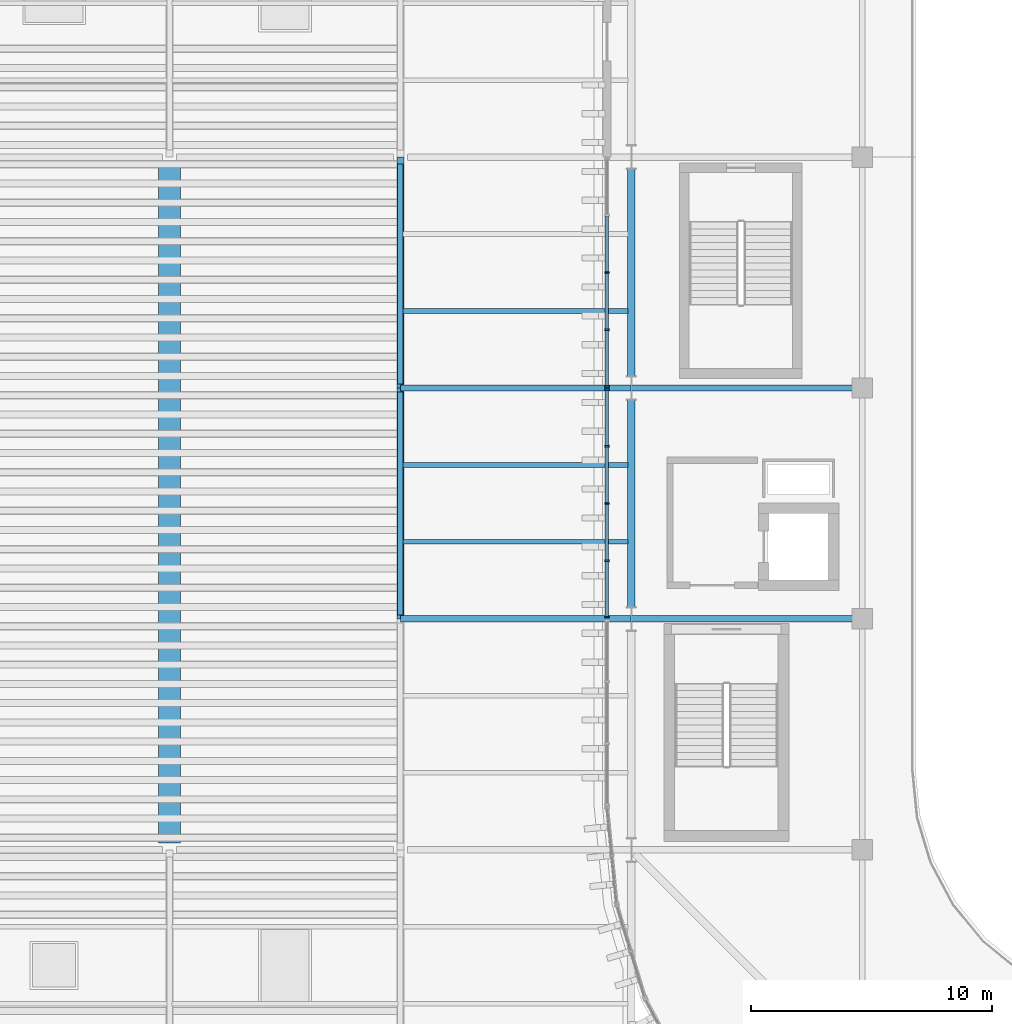
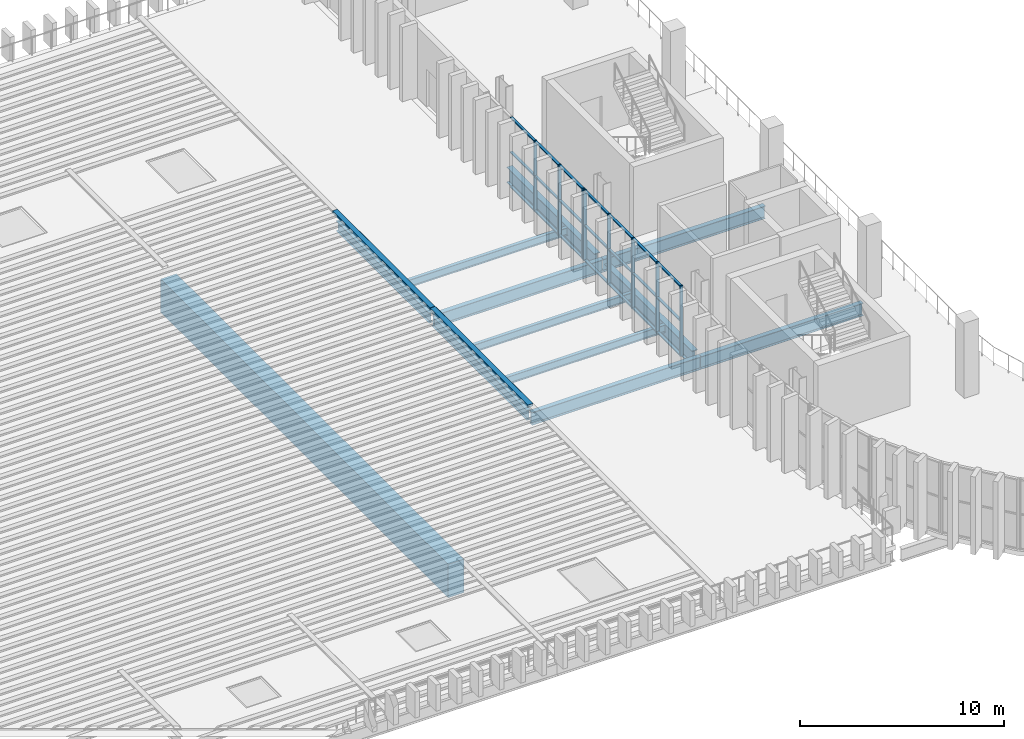
# One storey, part 10 of 92: 31 members, 12 beams, 2 elements without a shape of their own.
"""IFC4 building model written with IfcOpenShell, lengths in metres."""

from ifc_helpers import new_model, si_unit, direction, frame, origin, origin_2d, place, context, subcontext, project, spatial, rectangle, hollow_rectangle, i_section, extrude, material, layer, layer_set, material_profile, profile_set, type_object, element, aggregate, save


model = new_model("IFC4")

# Units and contexts
model_context = context("Model", 3, precision=1e-05, world=origin(), true_north=direction((0.0, 1.0)))
body_context = subcontext(model_context, "Body", "Model", "MODEL_VIEW")
ifc_project = project(units=[si_unit("LENGTHUNIT", "METRE"), si_unit("AREAUNIT", "SQUARE_METRE"), si_unit("VOLUMEUNIT", "CUBIC_METRE"), si_unit("PLANEANGLEUNIT", "RADIAN"), si_unit("MASSUNIT", "GRAM", prefix="KILO")], contexts=[model_context])

# Site, building, storey
site_placement = place(None, origin())
site = spatial("IfcSite", under=ifc_project, at=site_placement, CompositionType="ELEMENT")
building_placement = place(site_placement, origin())
building = spatial("IfcBuilding", under=site, at=building_placement, Name="Caelomonte Colonnade Arena", CompositionType="ELEMENT")
storey_placement = place(building_placement, frame((0.0, 0.0, 9.60009765625)))
storey = spatial("IfcBuildingStorey", under=building, at=storey_placement, Name="L02", CompositionType="ELEMENT", Elevation=9.60009765625)

# Curtain wall, members
ifc_material_1 = material(Name="Bronze anodised aluminium and low-E glazing", Category="aluminium")
ifc_layer = layer(ifc_material_1, 0.179931640625)
ifc_layer_set = layer_set([ifc_layer], Name="Bronze anodised aluminium and low-E glazing")
curtain_wall_type = type_object("IfcCurtainWallType", Name="ENV-CW-CW-L02-96-42", PredefinedType="USERDEFINED", material=ifc_layer_set)
curtain_wall_1_placement = place(storey_placement, origin())
curtain_wall_1 = element("IfcCurtainWall", 1, at=curtain_wall_1_placement, inside=storey, type_object=curtain_wall_type, Name="L02 unitized curtain wall CW-L02-0566-0624", ObjectType="UNITIZED CURTAIN WALL", PredefinedType="USERDEFINED")
ifc_material_2 = material(Name="Bronze anodised aluminium AA6063-T6", Category="aluminium")
ifc_material_profile_1 = material_profile(ifc_material_2, rectangle(XDim=0.070068359375, YDim=0.179931640625, at=origin_2d()), Name="CWM-70X180")
ifc_profile_set_1 = profile_set([ifc_material_profile_1], Name="Bronze anodised aluminium AA6063-T6")
member_type_1 = type_object("IfcMemberType", Name="ENV-CW-MULL1", PredefinedType="MULLION", material=ifc_profile_set_1)
member_1_placement = place(storey_placement, frame((56.580078125, 62.39990234375, 0.0), z_axis=(0.0, 0.0, 1.0), x_axis=(0.0, -1.0, 0.0)))
member_1 = element("IfcMember", 2, at=member_1_placement, type_object=member_type_1, Name="CW-L02-96-42 mullion 3", PredefinedType="MULLION", context=body_context, shape_type="SweptSolid", body=[
    extrude(rectangle(XDim=0.070068359375, YDim=0.179931640625, at=origin_2d()), origin(), (0.0, 0.0, 1.0), 4.219970703125),
])
member_2_placement = place(storey_placement, frame((56.580078125, 60.02001953125, 0.0), z_axis=(0.0, 0.0, 1.0), x_axis=(0.0, -1.0, 0.0)))
member_2 = element("IfcMember", 3, at=member_2_placement, type_object=member_type_1, Name="CW-L02-96-42 mullion 4", PredefinedType="MULLION", context=body_context, shape_type="SweptSolid", body=[
    extrude(rectangle(XDim=0.070068359375, YDim=0.179931640625, at=origin_2d()), origin(), (0.0, 0.0, 1.0), 4.219970703125),
])
member_3_placement = place(storey_placement, frame((56.580078125, 57.675048828125, 0.0), z_axis=(0.0, 0.0, 1.0), x_axis=(0.0, -1.0, 0.0)))
member_3 = element("IfcMember", 4, at=member_3_placement, type_object=member_type_1, Name="CW-L02-96-42 mullion 5", PredefinedType="MULLION", context=body_context, shape_type="SweptSolid", body=[
    extrude(rectangle(XDim=0.070068359375, YDim=0.179931640625, at=origin_2d()), origin(), (0.0, 0.0, 1.0), 4.219970703125),
])

curtain_wall_2_placement = place(storey_placement, origin())
curtain_wall_2 = element("IfcCurtainWall", 5, at=curtain_wall_2_placement, inside=storey, type_object=curtain_wall_type, Name="L02 unitized curtain wall CW-L02-0566-0528", ObjectType="UNITIZED CURTAIN WALL", PredefinedType="USERDEFINED")
member_4_placement = place(storey_placement, frame((56.580078125, 57.52490234375, 0.0), z_axis=(0.0, 0.0, 1.0), x_axis=(0.0, -1.0, 0.0)))
member_4 = element("IfcMember", 6, at=member_4_placement, type_object=member_type_1, Name="CW-L02-96-42 mullion 1", PredefinedType="MULLION", context=body_context, shape_type="SweptSolid", body=[
    extrude(rectangle(XDim=0.070068359375, YDim=0.179931640625, at=origin_2d()), origin(), (0.0, 0.0, 1.0), 4.219970703125),
])
member_5_placement = place(storey_placement, frame((56.580078125, 55.179931640625, 0.0), z_axis=(0.0, 0.0, 1.0), x_axis=(0.0, -1.0, 0.0)))
member_5 = element("IfcMember", 7, at=member_5_placement, type_object=member_type_1, Name="CW-L02-96-42 mullion 2", PredefinedType="MULLION", context=body_context, shape_type="SweptSolid", body=[
    extrude(rectangle(XDim=0.070068359375, YDim=0.179931640625, at=origin_2d()), origin(), (0.0, 0.0, 1.0), 4.219970703125),
])
member_6_placement = place(storey_placement, frame((56.580078125, 52.800048828125, 0.0), z_axis=(0.0, 0.0, 1.0), x_axis=(0.0, -1.0, 0.0)))
member_6 = element("IfcMember", 8, at=member_6_placement, type_object=member_type_1, Name="CW-L02-96-42 mullion 3", PredefinedType="MULLION", context=body_context, shape_type="SweptSolid", body=[
    extrude(rectangle(XDim=0.070068359375, YDim=0.179931640625, at=origin_2d()), origin(), (0.0, 0.0, 1.0), 4.219970703125),
])
member_7_placement = place(storey_placement, frame((56.580078125, 50.419921875, 0.0), z_axis=(0.0, 0.0, 1.0), x_axis=(0.0, -1.0, 0.0)))
member_7 = element("IfcMember", 9, at=member_7_placement, type_object=member_type_1, Name="CW-L02-96-42 mullion 4", PredefinedType="MULLION", context=body_context, shape_type="SweptSolid", body=[
    extrude(rectangle(XDim=0.070068359375, YDim=0.179931640625, at=origin_2d()), origin(), (0.0, 0.0, 1.0), 4.219970703125),
])
member_8_placement = place(storey_placement, frame((56.580078125, 48.074951171875, 0.0), z_axis=(0.0, 0.0, 1.0), x_axis=(0.0, -1.0, 0.0)))
member_8 = element("IfcMember", 10, at=member_8_placement, type_object=member_type_1, Name="CW-L02-96-42 mullion 5", PredefinedType="MULLION", context=body_context, shape_type="SweptSolid", body=[
    extrude(rectangle(XDim=0.070068359375, YDim=0.179931640625, at=origin_2d()), origin(), (0.0, 0.0, 1.0), 4.219970703125),
])

# Member
ifc_material_profile_2 = material_profile(ifc_material_2, rectangle(XDim=0.070068359375, YDim=0.139892578125, at=origin_2d()), Name="CWT-70X140")
ifc_profile_set_2 = profile_set([ifc_material_profile_2], Name="Bronze anodised aluminium AA6063-T6")
member_type_2 = type_object("IfcMemberType", Name="ENV-CW-TRAN1", PredefinedType="USERDEFINED", material=ifc_profile_set_2)
member_9_placement = place(storey_placement, frame((56.580078125, 64.7451171875, 0.034912109375), z_axis=(0.0, -1.0, 0.0), x_axis=(0.0, 0.0, 1.0)))
member_9 = element("IfcMember", 11, at=member_9_placement, type_object=member_type_2, Name="CW-L02-96-42 transom 2.1", ObjectType="TRANSOM", PredefinedType="USERDEFINED", context=body_context, shape_type="SweptSolid", body=[
    extrude(rectangle(XDim=0.070068359375, YDim=0.139892578125, at=origin_2d()), origin(), (0.0, 0.0, 1.0), 2.31005859375),
])

member_10_placement = place(storey_placement, frame((56.580078125, 64.7451171875, 2.10986328125), z_axis=(0.0, -1.0, 0.0), x_axis=(0.0, 0.0, 1.0)))
member_10 = element("IfcMember", 12, at=member_10_placement, type_object=member_type_2, Name="CW-L02-96-42 transom 2.2", ObjectType="TRANSOM", PredefinedType="USERDEFINED", context=body_context, shape_type="SweptSolid", body=[
    extrude(rectangle(XDim=0.070068359375, YDim=0.139892578125, at=origin_2d()), origin(), (0.0, 0.0, 1.0), 2.31005859375),
])

member_11_placement = place(storey_placement, frame((56.580078125, 64.7451171875, 4.184814453125), z_axis=(0.0, -1.0, 0.0), x_axis=(0.0, 0.0, 1.0)))
member_11 = element("IfcMember", 13, at=member_11_placement, type_object=member_type_2, Name="CW-L02-96-42 transom 2.3", ObjectType="TRANSOM", PredefinedType="USERDEFINED", context=body_context, shape_type="SweptSolid", body=[
    extrude(rectangle(XDim=0.070068359375, YDim=0.139892578125, at=origin_2d()), origin(), (0.0, 0.0, 1.0), 2.31005859375),
])

member_12_placement = place(storey_placement, frame((56.580078125, 62.364990234375, 0.034912109375), z_axis=(0.0, -1.0, 0.0), x_axis=(0.0, 0.0, 1.0)))
member_12 = element("IfcMember", 14, at=member_12_placement, type_object=member_type_2, Name="CW-L02-96-42 transom 3.1", ObjectType="TRANSOM", PredefinedType="USERDEFINED", context=body_context, shape_type="SweptSolid", body=[
    extrude(rectangle(XDim=0.070068359375, YDim=0.139892578125, at=origin_2d()), origin(), (0.0, 0.0, 1.0), 2.31005859375),
])

member_13_placement = place(storey_placement, frame((56.580078125, 62.364990234375, 2.10986328125), z_axis=(0.0, -1.0, 0.0), x_axis=(0.0, 0.0, 1.0)))
member_13 = element("IfcMember", 15, at=member_13_placement, type_object=member_type_2, Name="CW-L02-96-42 transom 3.2", ObjectType="TRANSOM", PredefinedType="USERDEFINED", context=body_context, shape_type="SweptSolid", body=[
    extrude(rectangle(XDim=0.070068359375, YDim=0.139892578125, at=origin_2d()), origin(), (0.0, 0.0, 1.0), 2.31005859375),
])

member_14_placement = place(storey_placement, frame((56.580078125, 62.364990234375, 4.184814453125), z_axis=(0.0, -1.0, 0.0), x_axis=(0.0, 0.0, 1.0)))
member_14 = element("IfcMember", 16, at=member_14_placement, type_object=member_type_2, Name="CW-L02-96-42 transom 3.3", ObjectType="TRANSOM", PredefinedType="USERDEFINED", context=body_context, shape_type="SweptSolid", body=[
    extrude(rectangle(XDim=0.070068359375, YDim=0.139892578125, at=origin_2d()), origin(), (0.0, 0.0, 1.0), 2.31005859375),
])

member_15_placement = place(storey_placement, frame((56.580078125, 59.985107421875, 0.034912109375), z_axis=(0.0, -1.0, 0.0), x_axis=(0.0, 0.0, 1.0)))
member_15 = element("IfcMember", 17, at=member_15_placement, type_object=member_type_2, Name="CW-L02-96-42 transom 4.1", ObjectType="TRANSOM", PredefinedType="USERDEFINED", context=body_context, shape_type="SweptSolid", body=[
    extrude(rectangle(XDim=0.070068359375, YDim=0.139892578125, at=origin_2d()), origin(), (0.0, 0.0, 1.0), 2.275146484375),
])

member_16_placement = place(storey_placement, frame((56.580078125, 59.985107421875, 2.10986328125), z_axis=(0.0, -1.0, 0.0), x_axis=(0.0, 0.0, 1.0)))
member_16 = element("IfcMember", 18, at=member_16_placement, type_object=member_type_2, Name="CW-L02-96-42 transom 4.2", ObjectType="TRANSOM", PredefinedType="USERDEFINED", context=body_context, shape_type="SweptSolid", body=[
    extrude(rectangle(XDim=0.070068359375, YDim=0.139892578125, at=origin_2d()), origin(), (0.0, 0.0, 1.0), 2.275146484375),
])

member_17_placement = place(storey_placement, frame((56.580078125, 59.985107421875, 4.184814453125), z_axis=(0.0, -1.0, 0.0), x_axis=(0.0, 0.0, 1.0)))
member_17 = element("IfcMember", 19, at=member_17_placement, type_object=member_type_2, Name="CW-L02-96-42 transom 4.3", ObjectType="TRANSOM", PredefinedType="USERDEFINED", context=body_context, shape_type="SweptSolid", body=[
    extrude(rectangle(XDim=0.070068359375, YDim=0.139892578125, at=origin_2d()), origin(), (0.0, 0.0, 1.0), 2.275146484375),
])

aggregate(curtain_wall_1, [member_1, member_2, member_3, member_9, member_10, member_11, member_12, member_13, member_14, member_15, member_16, member_17])

member_18_placement = place(storey_placement, frame((56.580078125, 57.489990234375, 0.034912109375), z_axis=(0.0, -1.0, 0.0), x_axis=(0.0, 0.0, 1.0)))
member_18 = element("IfcMember", 20, at=member_18_placement, type_object=member_type_2, Name="CW-L02-96-42 transom 1.1", ObjectType="TRANSOM", PredefinedType="USERDEFINED", context=body_context, shape_type="SweptSolid", body=[
    extrude(rectangle(XDim=0.070068359375, YDim=0.139892578125, at=origin_2d()), origin(), (0.0, 0.0, 1.0), 2.27490234375),
])

member_19_placement = place(storey_placement, frame((56.580078125, 57.489990234375, 2.10986328125), z_axis=(0.0, -1.0, 0.0), x_axis=(0.0, 0.0, 1.0)))
member_19 = element("IfcMember", 21, at=member_19_placement, type_object=member_type_2, Name="CW-L02-96-42 transom 1.2", ObjectType="TRANSOM", PredefinedType="USERDEFINED", context=body_context, shape_type="SweptSolid", body=[
    extrude(rectangle(XDim=0.070068359375, YDim=0.139892578125, at=origin_2d()), origin(), (0.0, 0.0, 1.0), 2.27490234375),
])

member_20_placement = place(storey_placement, frame((56.580078125, 57.489990234375, 4.184814453125), z_axis=(0.0, -1.0, 0.0), x_axis=(0.0, 0.0, 1.0)))
member_20 = element("IfcMember", 22, at=member_20_placement, type_object=member_type_2, Name="CW-L02-96-42 transom 1.3", ObjectType="TRANSOM", PredefinedType="USERDEFINED", context=body_context, shape_type="SweptSolid", body=[
    extrude(rectangle(XDim=0.070068359375, YDim=0.139892578125, at=origin_2d()), origin(), (0.0, 0.0, 1.0), 2.27490234375),
])

member_21_placement = place(storey_placement, frame((56.580078125, 55.14501953125, 0.034912109375), z_axis=(0.0, -1.0, 0.0), x_axis=(0.0, 0.0, 1.0)))
member_21 = element("IfcMember", 23, at=member_21_placement, type_object=member_type_2, Name="CW-L02-96-42 transom 2.1", ObjectType="TRANSOM", PredefinedType="USERDEFINED", context=body_context, shape_type="SweptSolid", body=[
    extrude(rectangle(XDim=0.070068359375, YDim=0.139892578125, at=origin_2d()), origin(), (0.0, 0.0, 1.0), 2.31005859375),
])

member_22_placement = place(storey_placement, frame((56.580078125, 55.14501953125, 2.10986328125), z_axis=(0.0, -1.0, 0.0), x_axis=(0.0, 0.0, 1.0)))
member_22 = element("IfcMember", 24, at=member_22_placement, type_object=member_type_2, Name="CW-L02-96-42 transom 2.2", ObjectType="TRANSOM", PredefinedType="USERDEFINED", context=body_context, shape_type="SweptSolid", body=[
    extrude(rectangle(XDim=0.070068359375, YDim=0.139892578125, at=origin_2d()), origin(), (0.0, 0.0, 1.0), 2.31005859375),
])

member_23_placement = place(storey_placement, frame((56.580078125, 55.14501953125, 4.184814453125), z_axis=(0.0, -1.0, 0.0), x_axis=(0.0, 0.0, 1.0)))
member_23 = element("IfcMember", 25, at=member_23_placement, type_object=member_type_2, Name="CW-L02-96-42 transom 2.3", ObjectType="TRANSOM", PredefinedType="USERDEFINED", context=body_context, shape_type="SweptSolid", body=[
    extrude(rectangle(XDim=0.070068359375, YDim=0.139892578125, at=origin_2d()), origin(), (0.0, 0.0, 1.0), 2.31005859375),
])

member_24_placement = place(storey_placement, frame((56.580078125, 52.764892578125, 0.034912109375), z_axis=(0.0, -1.0, 0.0), x_axis=(0.0, 0.0, 1.0)))
member_24 = element("IfcMember", 26, at=member_24_placement, type_object=member_type_2, Name="CW-L02-96-42 transom 3.1", ObjectType="TRANSOM", PredefinedType="USERDEFINED", context=body_context, shape_type="SweptSolid", body=[
    extrude(rectangle(XDim=0.070068359375, YDim=0.139892578125, at=origin_2d()), origin(), (0.0, 0.0, 1.0), 2.309814453125),
])

member_25_placement = place(storey_placement, frame((56.580078125, 52.764892578125, 2.10986328125), z_axis=(0.0, -1.0, 0.0), x_axis=(0.0, 0.0, 1.0)))
member_25 = element("IfcMember", 27, at=member_25_placement, type_object=member_type_2, Name="CW-L02-96-42 transom 3.2", ObjectType="TRANSOM", PredefinedType="USERDEFINED", context=body_context, shape_type="SweptSolid", body=[
    extrude(rectangle(XDim=0.070068359375, YDim=0.139892578125, at=origin_2d()), origin(), (0.0, 0.0, 1.0), 2.309814453125),
])

member_26_placement = place(storey_placement, frame((56.580078125, 52.764892578125, 4.184814453125), z_axis=(0.0, -1.0, 0.0), x_axis=(0.0, 0.0, 1.0)))
member_26 = element("IfcMember", 28, at=member_26_placement, type_object=member_type_2, Name="CW-L02-96-42 transom 3.3", ObjectType="TRANSOM", PredefinedType="USERDEFINED", context=body_context, shape_type="SweptSolid", body=[
    extrude(rectangle(XDim=0.070068359375, YDim=0.139892578125, at=origin_2d()), origin(), (0.0, 0.0, 1.0), 2.309814453125),
])

member_27_placement = place(storey_placement, frame((56.580078125, 50.385009765625, 0.034912109375), z_axis=(0.0, -1.0, 0.0), x_axis=(0.0, 0.0, 1.0)))
member_27 = element("IfcMember", 29, at=member_27_placement, type_object=member_type_2, Name="CW-L02-96-42 transom 4.1", ObjectType="TRANSOM", PredefinedType="USERDEFINED", context=body_context, shape_type="SweptSolid", body=[
    extrude(rectangle(XDim=0.070068359375, YDim=0.139892578125, at=origin_2d()), origin(), (0.0, 0.0, 1.0), 2.27490234375),
])

member_28_placement = place(storey_placement, frame((56.580078125, 50.385009765625, 2.10986328125), z_axis=(0.0, -1.0, 0.0), x_axis=(0.0, 0.0, 1.0)))
member_28 = element("IfcMember", 30, at=member_28_placement, type_object=member_type_2, Name="CW-L02-96-42 transom 4.2", ObjectType="TRANSOM", PredefinedType="USERDEFINED", context=body_context, shape_type="SweptSolid", body=[
    extrude(rectangle(XDim=0.070068359375, YDim=0.139892578125, at=origin_2d()), origin(), (0.0, 0.0, 1.0), 2.27490234375),
])

member_29_placement = place(storey_placement, frame((56.580078125, 50.385009765625, 4.184814453125), z_axis=(0.0, -1.0, 0.0), x_axis=(0.0, 0.0, 1.0)))
member_29 = element("IfcMember", 31, at=member_29_placement, type_object=member_type_2, Name="CW-L02-96-42 transom 4.3", ObjectType="TRANSOM", PredefinedType="USERDEFINED", context=body_context, shape_type="SweptSolid", body=[
    extrude(rectangle(XDim=0.070068359375, YDim=0.139892578125, at=origin_2d()), origin(), (0.0, 0.0, 1.0), 2.27490234375),
])

aggregate(curtain_wall_2, [member_4, member_5, member_6, member_7, member_8, member_18, member_19, member_20, member_21, member_22, member_23, member_24, member_25, member_26, member_27, member_28, member_29])

# Beams
ifc_material_3 = material(Name="Wide-flange steel ASTM A992 Grade 50", Category="steel")
ifc_material_profile_3 = material_profile(ifc_material_3, i_section(OverallWidth=0.307861328125, OverallDepth=0.927001953125, WebThickness=0.019287109375, FlangeThickness=0.031982421875, FilletRadius=0.020263671875, at=origin_2d()), Name="W36X194")
ifc_profile_set_3 = profile_set([ifc_material_profile_3], Name="Wide-flange steel ASTM A992 Grade 50")
beam_type_1 = type_object("IfcBeamType", Name="STR-BM-EAVES2", PredefinedType="SPANDREL", material=ifc_profile_set_3)
beam_1_placement = place(storey_placement, frame((57.60009765625, 48.49755859375, -0.74365234375), z_axis=(0.0, 1.0, 0.0), x_axis=(-1.0, 0.0, 0.0)))
element("IfcBeam", 32, at=beam_1_placement, inside=storey, type_object=beam_type_1, Name="L02 girder BMY-L02-0576-0480", PredefinedType="SPANDREL", context=body_context, shape_type="SweptSolid", body=[
    extrude(i_section(OverallWidth=0.307861328125, OverallDepth=0.927001953125, WebThickness=0.019287109375, FlangeThickness=0.031982421875, FilletRadius=0.020263671875, at=origin_2d()), origin(), (0.0, 0.0, 1.0), 8.60498046875),
])
beam_2_placement = place(storey_placement, frame((57.60009765625, 58.097412109375, -0.74365234375), z_axis=(0.0, 1.0, 0.0), x_axis=(-1.0, 0.0, 0.0)))
element("IfcBeam", 33, at=beam_2_placement, inside=storey, type_object=beam_type_1, Name="L02 girder BMY-L02-0576-0576", PredefinedType="SPANDREL", context=body_context, shape_type="SweptSolid", body=[
    extrude(i_section(OverallWidth=0.307861328125, OverallDepth=0.927001953125, WebThickness=0.019287109375, FlangeThickness=0.031982421875, FilletRadius=0.020263671875, at=origin_2d()), origin(), (0.0, 0.0, 1.0), 8.605224609375),
])
ifc_material_profile_4 = material_profile(ifc_material_3, i_section(OverallWidth=0.228271484375, OverallDepth=0.607177734375, WebThickness=0.01123046875, FlangeThickness=0.017333984375, FilletRadius=0.0126953125, at=origin_2d()), Name="W24X76")
ifc_profile_set_4 = profile_set([ifc_material_profile_4], Name="Wide-flange steel ASTM A992 Grade 50")
beam_type_2 = type_object("IfcBeamType", Name="STR-BM-GIRD24", PredefinedType="BEAM", material=ifc_profile_set_4)
beam_3_placement = place(storey_placement, frame((48.0, 48.170166015625, -0.58349609375), z_axis=(0.0, 1.0, 0.0), x_axis=(-1.0, 0.0, 0.0)))
element("IfcBeam", 34, at=beam_3_placement, inside=storey, type_object=beam_type_2, Name="L02 girder BMY-L02-0480-0480", PredefinedType="BEAM", context=body_context, shape_type="SweptSolid", body=[
    extrude(i_section(OverallWidth=0.228271484375, OverallDepth=0.607177734375, WebThickness=0.01123046875, FlangeThickness=0.017333984375, FilletRadius=0.0126953125, at=origin_2d()), origin(), (0.0, 0.0, 1.0), 9.259765625),
])
beam_4_placement = place(storey_placement, frame((48.0, 57.77001953125, -0.58349609375), z_axis=(0.0, 1.0, 0.0), x_axis=(-1.0, 0.0, 0.0)))
element("IfcBeam", 35, at=beam_4_placement, inside=storey, type_object=beam_type_2, Name="L02 girder BMY-L02-0480-0576", PredefinedType="BEAM", context=body_context, shape_type="SweptSolid", body=[
    extrude(i_section(OverallWidth=0.228271484375, OverallDepth=0.607177734375, WebThickness=0.01123046875, FlangeThickness=0.017333984375, FilletRadius=0.0126953125, at=origin_2d()), origin(), (0.0, 0.0, 1.0), 9.137939453125),
])
ifc_material_profile_5 = material_profile(ifc_material_3, i_section(OverallWidth=0.2666015625, OverallDepth=0.761962890625, WebThickness=0.014404296875, FlangeThickness=0.021484375, FilletRadius=0.0166015625, at=origin_2d()), Name="W30X116")
ifc_profile_set_5 = profile_set([ifc_material_profile_5], Name="Wide-flange steel ASTM A992 Grade 50")
beam_type_3 = type_object("IfcBeamType", Name="STR-BM-GIRD30", PredefinedType="BEAM", material=ifc_profile_set_5)
beam_5_placement = place(storey_placement, frame((48.005615234375, 48.0, -0.6611328125), z_axis=(1.0, 0.0, 0.0), x_axis=(0.0, 1.0, 0.0)))
element("IfcBeam", 36, at=beam_5_placement, inside=storey, type_object=beam_type_3, Name="L02 girder BMX-L02-0480-0480", PredefinedType="BEAM", context=body_context, shape_type="SweptSolid", body=[
    extrude(i_section(OverallWidth=0.2666015625, OverallDepth=0.761962890625, WebThickness=0.014404296875, FlangeThickness=0.021484375, FilletRadius=0.0166015625, at=origin_2d()), origin(), (0.0, 0.0, 1.0), 9.58251953125),
])
beam_6_placement = place(storey_placement, frame((57.61181640625, 48.0, -0.6611328125), z_axis=(1.0, 0.0, 0.0), x_axis=(0.0, 1.0, 0.0)))
element("IfcBeam", 37, at=beam_6_placement, inside=storey, type_object=beam_type_3, Name="L02 girder BMX-L02-0576-0480", PredefinedType="BEAM", context=body_context, shape_type="SweptSolid", body=[
    extrude(i_section(OverallWidth=0.2666015625, OverallDepth=0.761962890625, WebThickness=0.014404296875, FlangeThickness=0.021484375, FilletRadius=0.0166015625, at=origin_2d()), origin(), (0.0, 0.0, 1.0), 9.171142578125),
])
beam_7_placement = place(storey_placement, frame((48.005615234375, 57.60009765625, -0.6611328125), z_axis=(1.0, 0.0, 0.0), x_axis=(0.0, 1.0, 0.0)))
element("IfcBeam", 38, at=beam_7_placement, inside=storey, type_object=beam_type_3, Name="L02 girder BMX-L02-0480-0576", PredefinedType="BEAM", context=body_context, shape_type="SweptSolid", body=[
    extrude(i_section(OverallWidth=0.2666015625, OverallDepth=0.761962890625, WebThickness=0.014404296875, FlangeThickness=0.021484375, FilletRadius=0.0166015625, at=origin_2d()), origin(), (0.0, 0.0, 1.0), 9.58251953125),
])
beam_8_placement = place(storey_placement, frame((57.61181640625, 57.60009765625, -0.6611328125), z_axis=(1.0, 0.0, 0.0), x_axis=(0.0, 1.0, 0.0)))
element("IfcBeam", 39, at=beam_8_placement, inside=storey, type_object=beam_type_3, Name="L02 girder BMX-L02-0576-0576", PredefinedType="BEAM", context=body_context, shape_type="SweptSolid", body=[
    extrude(i_section(OverallWidth=0.2666015625, OverallDepth=0.761962890625, WebThickness=0.014404296875, FlangeThickness=0.021484375, FilletRadius=0.0166015625, at=origin_2d()), origin(), (0.0, 0.0, 1.0), 9.171142578125),
])
ifc_material_profile_6 = material_profile(ifc_material_3, i_section(OverallWidth=0.1904296875, OverallDepth=0.457275390625, WebThickness=0.009033203125, FlangeThickness=0.014404296875, FilletRadius=0.01025390625, at=origin_2d()), Name="W18X50")
ifc_profile_set_6 = profile_set([ifc_material_profile_6], Name="Wide-flange steel ASTM A992 Grade 50")
beam_type_4 = type_object("IfcBeamType", Name="STR-BM-JOIST18", PredefinedType="JOIST", material=ifc_profile_set_6)
for number, where, z_axis, x_axis, name in (
    (40, (48.109130859375, 51.199951171875, -0.5087890625), (1.0, 0.0, 0.0), (0.0, 1.0, 0.0), "L02 secondary joist 1"),
    (41, (48.109130859375, 54.39990234375, -0.5087890625), (1.0, 0.0, 0.0), (0.0, 1.0, 0.0), "L02 secondary joist 2"),
    (42, (48.109130859375, 60.800048828125, -0.5087890625), (1.0, 0.0, 0.0), (0.0, 1.0, 0.0), "L02 secondary joist 1"),
):
    element("IfcBeam", number, at=place(storey_placement, frame(where, z_axis=z_axis, x_axis=x_axis)), inside=storey, type_object=beam_type_4, Name=name, PredefinedType="JOIST", context=body_context, shape_type="SweptSolid", body=[
        extrude(i_section(OverallWidth=0.1904296875, OverallDepth=0.457275390625, WebThickness=0.009033203125, FlangeThickness=0.014404296875, FilletRadius=0.01025390625, at=origin_2d()), origin(), (0.0, 0.0, 1.0), 9.342041015625),
    ])
ifc_material_4 = material(Name="Concrete C50/60", Category="concrete")
ifc_material_profile_7 = material_profile(ifc_material_4, rectangle(XDim=0.89990234375, YDim=2.0, at=origin_2d()), Name="RC900X2000")
ifc_profile_set_7 = profile_set([ifc_material_profile_7], Name="Concrete C50/60")
beam_type_5 = type_object("IfcBeamType", Name="STR-BM-TG20", PredefinedType="USERDEFINED", material=ifc_profile_set_7)
beam_9_placement = place(storey_placement, frame((38.39990234375, 38.69189453125, -1.280029296875), z_axis=(0.0, 1.0, 0.0), x_axis=(-1.0, 0.0, 0.0)))
element("IfcBeam", 43, at=beam_9_placement, inside=storey, type_object=beam_type_5, Name="L02 Transfer Girder BMY-L02-0384-0384", ObjectType="TRANSFER GIRDER", PredefinedType="USERDEFINED", context=body_context, shape_type="SweptSolid", body=[
    extrude(rectangle(XDim=0.89990234375, YDim=2.0, at=origin_2d()), origin(), (0.0, 0.0, 1.0), 28.216064453125),
])

# Members
ifc_material_5 = material(Name="Steel ASTM A500 Grade C", Category="steel")
ifc_material_profile_8 = material_profile(ifc_material_5, hollow_rectangle(XDim=0.300048828125, YDim=0.14990234375, WallThickness=0.008056640625, InnerFilletRadius=0.008056640625, OuterFilletRadius=0.01611328125, at=origin_2d()), Name="HSS300X150X8")
ifc_profile_set_8 = profile_set([ifc_material_profile_8], Name="Steel ASTM A500 Grade C")
member_type_3 = type_object("IfcMemberType", Name="STR-LW-PAR1", PredefinedType="STRUT", material=ifc_profile_set_8)
for number, where, z_axis, x_axis, name in (
    (44, (48.0, 48.00390625, 0.074951171875), (0.0, 1.0, 0.0), (-1.0, 0.0, 0.0), "Planted lawn parterre planter header HDR-E3"),
    (45, (48.0, 57.60400390625, 0.074951171875), (0.0, 1.0, 0.0), (-1.0, 0.0, 0.0), "Planted lawn parterre planter header HDR-E4"),
):
    element("IfcMember", number, at=place(storey_placement, frame(where, z_axis=z_axis, x_axis=x_axis)), inside=storey, type_object=member_type_3, Name=name, PredefinedType="STRUT", context=body_context, shape_type="SweptSolid", body=[
        extrude(hollow_rectangle(XDim=0.300048828125, YDim=0.14990234375, WallThickness=0.008056640625, InnerFilletRadius=0.008056640625, OuterFilletRadius=0.01611328125, at=origin_2d()), origin(), (0.0, 0.0, 1.0), 9.592041015625),
    ])

save(model, "model.ifc")
